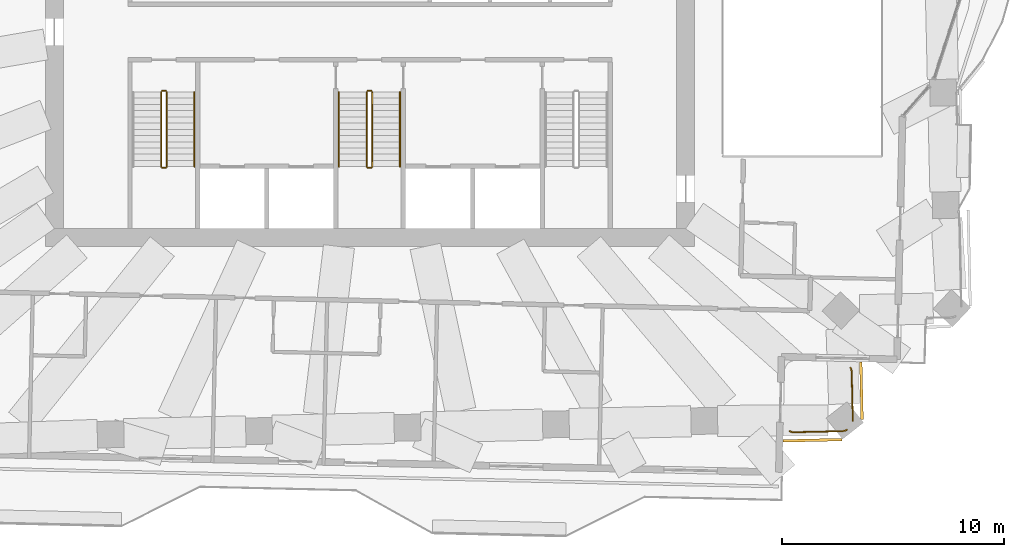
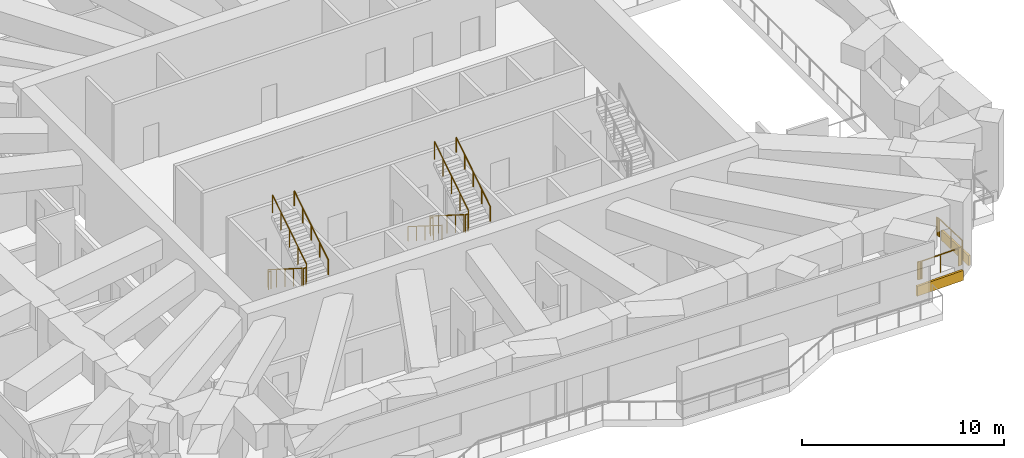
# One storey, part 16 of 19: 13 railings, 2 coverings.
"""IFC4 building model written with IfcOpenShell, lengths in metres."""

import ifcopenshell
import ifcopenshell.guid

model = None  # the IFC model being written
_history = None  # IfcOwnerHistory: only IFC2X3 demands one
_inside = {}  # id of a spatial element -> (the spatial element, [elements in it])
_under = {}  # id of a project, library or spatial element -> (it, [spatial elements below it])
_declared = {}  # id of a project -> (the project, [libraries it declares])
_typed = {}  # id of a type object -> (the type object, [elements of that type])
_made_of = {}  # id of a material, layer set ... -> (it, [elements and type objects made of it])


def new_model(schema):
    """Start an empty IFC model of exactly this schema.

    Asked for "IFC4X3", IfcOpenShell would pick the latest addendum, in which some entities
    have other attributes; the version numbers below select the first issue.
    IFC2X3 requires an IfcOwnerHistory on every rooted entity: one is made here for all.
    """
    global model, _history
    if schema == "IFC4X3":
        model = ifcopenshell.file(schema_version=(4, 3, 0, 0))
    else:
        model = ifcopenshell.file(schema=schema)
    _inside.clear()
    _under.clear()
    _declared.clear()
    _typed.clear()
    _made_of.clear()
    _history = None
    if model.schema == "IFC2X3":
        org = make("IfcOrganization", Name="unknown")
        user = make(
            "IfcPersonAndOrganization",
            ThePerson=make("IfcPerson", FamilyName="unknown"),
            TheOrganization=org,
        )
        app = make(
            "IfcApplication",
            ApplicationDeveloper=org,
            Version="unknown",
            ApplicationFullName="unknown",
            ApplicationIdentifier="unknown",
        )
        _history = make(
            "IfcOwnerHistory",
            OwningUser=user,
            OwningApplication=app,
            ChangeAction="ADDED",
            CreationDate=0,
        )
    return model


def make(cls, **values):
    """One entity of the class cls with the attributes given. An attribute that is None is left unset."""
    return model.create_entity(
        cls, **{name: value for name, value in values.items() if value is not None}
    )


def rooted(cls, **values):
    """An entity with a GlobalId (a new one), such as an element, a storey or a relation."""
    return make(cls, GlobalId=ifcopenshell.guid.new(), OwnerHistory=_history, **values)


def si_unit(unit_type, name, prefix=None):
    """IfcSIUnit, for example si_unit("LENGTHUNIT", "METRE", prefix="MILLI")."""
    return make("IfcSIUnit", UnitType=unit_type, Prefix=prefix, Name=name)


def assignment(units):
    """IfcUnitAssignment: the units of a project."""
    return None if units is None else make("IfcUnitAssignment", Units=units)


def point(xyz):
    """IfcCartesianPoint."""
    return None if xyz is None else make("IfcCartesianPoint", Coordinates=xyz)


def direction(xyz):
    """IfcDirection."""
    return None if xyz is None else make("IfcDirection", DirectionRatios=xyz)


def frame(location, z_axis=None, x_axis=None):
    """IfcAxis2Placement3D, a coordinate frame: its origin and axes. An axis left out is left unset."""
    return make(
        "IfcAxis2Placement3D",
        Location=point(location),
        Axis=direction(z_axis),
        RefDirection=direction(x_axis),
    )


def frame_2d(location, x_axis=None):
    """IfcAxis2Placement2D, a coordinate frame in the plane: its origin and x axis."""
    return make(
        "IfcAxis2Placement2D", Location=point(location), RefDirection=direction(x_axis)
    )


def origin():
    """The frame at (0, 0, 0) with its axes left unset."""
    return frame((0.0, 0.0, 0.0))


def origin_2d():
    """The frame at (0, 0) in the plane with its x axis left unset."""
    return frame_2d((0.0, 0.0))


def place(relative_to, where):
    """IfcLocalPlacement: puts the frame where relative to a parent placement (None: the world)."""
    return make(
        "IfcLocalPlacement", PlacementRelTo=relative_to, RelativePlacement=where
    )


def context(
    kind, dimensions, precision=None, world=None, true_north=None, identifier=None
):
    """IfcGeometricRepresentationContext, for example the 3D "Model" context."""
    return make(
        "IfcGeometricRepresentationContext",
        ContextIdentifier=identifier,
        ContextType=kind,
        CoordinateSpaceDimension=dimensions,
        Precision=precision,
        WorldCoordinateSystem=world,
        TrueNorth=true_north,
    )


def subcontext(parent, identifier, kind, view, scale=None):
    """IfcGeometricRepresentationSubContext, for example "Body" below "Model"."""
    return make(
        "IfcGeometricRepresentationSubContext",
        ContextIdentifier=identifier,
        ContextType=kind,
        ParentContext=parent,
        TargetScale=scale,
        TargetView=view,
    )


def project(units=None, contexts=None):
    """IfcProject with its units and contexts."""
    return rooted(
        "IfcProject",
        Name="project",
        RepresentationContexts=contexts,
        UnitsInContext=assignment(units),
    )


def spatial(cls, under=None, at=None, **own):
    """A site, building, storey or space (cls), placed at a placement, below another one or the project."""
    s = rooted(cls, ObjectPlacement=at, **own)
    if under is not None:
        _under.setdefault(under.id(), (under, []))[1].append(s)
    return s


def profile(cls, at=None, kind="AREA", **sizes):
    """A parametric profile (cls). Its sizes go by their IFC names, for example OverallWidth=200.0."""
    return make(cls, ProfileType=kind, Position=at, **sizes)


def rectangle(**sizes):
    """IfcRectangleProfileDef."""
    return profile("IfcRectangleProfileDef", **sizes)


def circle(**sizes):
    """IfcCircleProfileDef."""
    return profile("IfcCircleProfileDef", **sizes)


def extrude(swept, where, along, depth):
    """IfcExtrudedAreaSolid: the profile swept, set in the frame where, extruded along a direction by depth."""
    return make(
        "IfcExtrudedAreaSolid",
        SweptArea=swept,
        Position=where,
        ExtrudedDirection=direction(along),
        Depth=depth,
    )


def shape(context_of_items, identifier, shape_type, items):
    """IfcShapeRepresentation: the items that make up one representation, for example the "Body"."""
    return make(
        "IfcShapeRepresentation",
        ContextOfItems=context_of_items,
        RepresentationIdentifier=identifier,
        RepresentationType=shape_type,
        Items=items,
    )


def material(Name=None, Category=None):
    """IfcMaterial."""
    return make("IfcMaterial", Name=Name, Category=Category)


def layer(
    of_material, thickness, ventilated=None, Name=None, Category=None, Priority=None
):
    """IfcMaterialLayer: one layer of a wall or slab, of a material (None: an air gap)."""
    return make(
        "IfcMaterialLayer",
        Material=of_material,
        LayerThickness=thickness,
        IsVentilated=ventilated,
        Name=Name,
        Category=Category,
        Priority=Priority,
    )


def layer_set(layers, Name=None):
    """IfcMaterialLayerSet."""
    return make("IfcMaterialLayerSet", MaterialLayers=layers, LayerSetName=Name)


def made_of(thing, what):
    """Note that an element or type object is made of a material, layer set ...; save() writes the relation."""
    if what is not None:
        _made_of.setdefault(what.id(), (what, []))[1].append(thing)
    return thing


def type_object(cls, material=None, **own):
    """A type object (cls), such as IfcWallType, which elements share."""
    return made_of(rooted(cls, **own), material)


def element(
    cls,
    number,
    at=None,
    inside=None,
    cuts=None,
    type_object=None,
    material=None,
    context=None,
    identifier="Body",
    shape_type=None,
    held_by="IfcProductDefinitionShape",
    body=None,
    shapes=None,
    **own,
):
    """One element of the class cls, such as IfcWall. Its Tag is "e" and its number.

    at: its placement. inside: the storey or other place that contains it. cuts: it is an
    opening in that element (IfcRelVoidsElement). A single representation is given by context,
    identifier, shape_type and body (its items); several are given by shapes. held_by: the class
    of the entity that holds the representations. save() writes the other relations.
    """
    e = rooted(cls, Tag="e%d" % number, ObjectPlacement=at, **own)
    if body is not None:
        shapes = [shape(context, identifier, shape_type, body)]
    if shapes is not None:
        e.Representation = make(held_by, Representations=shapes)
    if inside is not None:
        _inside.setdefault(inside.id(), (inside, []))[1].append(e)
    if cuts is not None:
        rooted(
            "IfcRelVoidsElement", RelatingBuildingElement=cuts, RelatedOpeningElement=e
        )
    if type_object is not None:
        _typed.setdefault(type_object.id(), (type_object, []))[1].append(e)
    return made_of(e, material)


def aggregate(whole, parts):
    """IfcRelAggregates: a whole, such as a stair, and the parts it consists of."""
    return rooted("IfcRelAggregates", RelatingObject=whole, RelatedObjects=parts)


def save(model, path):
    """Write the relations noted so far, then the file.

    IfcRelAggregates (storeys below a building ...), IfcRelContainedInSpatialStructure (elements
    in a storey), IfcRelDefinesByType, IfcRelAssociatesMaterial and IfcRelDeclares: one each for
    every whole, place, type object, material and project.
    """
    for whole, parts in _under.values():
        aggregate(whole, parts)
    for where, things in _inside.values():
        rooted(
            "IfcRelContainedInSpatialStructure",
            RelatedElements=things,
            RelatingStructure=where,
        )
    for kind, things in _typed.values():
        rooted("IfcRelDefinesByType", RelatedObjects=things, RelatingType=kind)
    for what, things in _made_of.values():
        rooted("IfcRelAssociatesMaterial", RelatedObjects=things, RelatingMaterial=what)
    for by, libraries in _declared.values():
        rooted("IfcRelDeclares", RelatingContext=by, RelatedDefinitions=libraries)
    model.write(path)


model = new_model("IFC4")

# Units and contexts
model_context = context("Model", 3, precision=1e-05, world=origin(), true_north=direction((0.0, 1.0)))
body_context = subcontext(model_context, "Body", "Model", "MODEL_VIEW")
ifc_project = project(units=[si_unit("LENGTHUNIT", "METRE"), si_unit("AREAUNIT", "SQUARE_METRE"), si_unit("VOLUMEUNIT", "CUBIC_METRE"), si_unit("PLANEANGLEUNIT", "RADIAN"), si_unit("MASSUNIT", "GRAM", prefix="KILO")], contexts=[model_context])

# Site, building, storey
site_placement = place(None, origin())
site = spatial("IfcSite", under=ifc_project, at=site_placement, CompositionType="ELEMENT")
building_placement = place(site_placement, origin())
building = spatial("IfcBuilding", under=site, at=building_placement, Name="Mangrove Gate Tower", CompositionType="ELEMENT")
storey_placement = place(building_placement, frame((0.0, 0.0, 193.300048828125)))
storey = spatial("IfcBuildingStorey", under=building, at=storey_placement, Name="L49", CompositionType="ELEMENT", Elevation=193.300048828125)

# Railings
ifc_material_1 = material(Name="Stainless steel grade 316 with laminated glass infill", Category="steel")
railing_type_1 = type_object("IfcRailingType", Name="Balcony guard 1100", PredefinedType="GUARDRAIL", material=ifc_material_1)
railing_1_placement = place(storey_placement, frame((21.449951171875, -19.85498046875, 0.0)))
element("IfcRailing", 1, at=railing_1_placement, inside=storey, type_object=railing_type_1, Name="GUARD L49 T4.1", PredefinedType="GUARDRAIL", context=body_context, shape_type="SweptSolid", body=[
    extrude(rectangle(XDim=0.048095703125, YDim=0.048095703125, at=origin_2d()), frame((0.0, 0.0, 1.076171875), z_axis=(-0.887359195726, -0.461078797779, 0.0), x_axis=(0.461078797779, -0.887359195726, 0.0)), (0.0, 0.0, 1.0), 0.028076171875),
    extrude(rectangle(XDim=0.048095703125, YDim=0.048095703125, at=origin_2d()), frame((-0.02490234375, -0.012939453125, 1.076171875), z_axis=(-0.937748760724, -0.347314355824, 0.0), x_axis=(0.347314355824, -0.937748760724, 0.0)), (0.0, 0.0, 1.0), 0.04931640625),
    extrude(rectangle(XDim=0.048095703125, YDim=0.048095703125, at=origin_2d()), frame((-0.071044921875, -0.030029296875, 1.076171875), z_axis=(-0.965329857813, -0.261033073796, 0.0), x_axis=(0.261033073796, -0.965329857813, 0.0)), (0.0, 0.0, 1.0), 0.049560546875),
    extrude(rectangle(XDim=0.048095703125, YDim=0.048095703125, at=origin_2d()), frame((-0.118896484375, -0.04296875, 1.076171875), z_axis=(-0.982815662529, -0.184589743724, 0.0), x_axis=(0.184589743724, -0.982815662529, 0.0)), (0.0, 0.0, 1.0), 0.048828125),
    extrude(rectangle(XDim=0.048095703125, YDim=0.048095703125, at=origin_2d()), frame((-0.1669921875, -0.052001953125, 1.076171875), z_axis=(-0.998222615791, -0.059595380047, 0.0), x_axis=(0.059595380047, -0.998222615791, 0.0)), (0.0, 0.0, 1.0), 0.049072265625),
    extrude(rectangle(XDim=0.048095703125, YDim=0.048095703125, at=origin_2d()), frame((-0.216064453125, -0.054931640625, 1.076171875), z_axis=(-0.999743671564, -0.022640476296, 0.0), x_axis=(0.022640476296, -0.999743671564, 0.0)), (0.0, 0.0, 1.0), 2.124267578125),
    extrude(rectangle(XDim=0.048095703125, YDim=0.048095703125, at=origin_2d()), frame((-2.33984375, -0.10302734375, 1.076171875), z_axis=(-0.999816904308, 0.019135251757, 0.0), x_axis=(-0.019135251757, -0.999816904308, 0.0)), (0.0, 0.0, 1.0), 0.051025390625),
    extrude(rectangle(XDim=0.048095703125, YDim=0.048095703125, at=origin_2d()), frame((-2.390869140625, -0.10205078125, 1.076171875), z_axis=(-0.990141768293, 0.140068835515, 0.0), x_axis=(-0.140068835515, -0.990141768293, 0.0)), (0.0, 0.0, 1.0), 0.050537109375),
    extrude(rectangle(XDim=0.048095703125, YDim=0.048095703125, at=origin_2d()), frame((-2.44091796875, -0.094970703125, 1.076171875), z_axis=(-0.975843140333, 0.218472344851, 0.0), x_axis=(-0.218472344851, -0.975843140333, 0.0)), (0.0, 0.0, 1.0), 0.05029296875),
    extrude(rectangle(XDim=0.048095703125, YDim=0.048095703125, at=origin_2d()), frame((-2.489990234375, -0.083984375, 1.076171875), z_axis=(-0.949166454242, 0.314774589417, 0.0), x_axis=(-0.314774589417, -0.949166454242, 0.0)), (0.0, 0.0, 1.0), 0.05029296875),
    extrude(rectangle(XDim=0.048095703125, YDim=0.048095703125, at=origin_2d()), frame((-2.537841796875, -0.068115234375, 1.076171875), z_axis=(-0.894427191, 0.4472135955, 0.0), x_axis=(-0.4472135955, -0.894427191, 0.0)), (0.0, 0.0, 1.0), 0.0224609375),
    extrude(rectangle(XDim=0.0419921875, YDim=0.0419921875, at=origin_2d()), origin(), (0.0, 0.0, 1.0), 1.052001953125),
    extrude(rectangle(XDim=0.0419921875, YDim=0.0419921875, at=origin_2d()), frame((-0.02490234375, -0.012939453125, 0.0)), (0.0, 0.0, 1.0), 1.052001953125),
    extrude(rectangle(XDim=0.0419921875, YDim=0.0419921875, at=origin_2d()), frame((-0.071044921875, -0.030029296875, 0.0)), (0.0, 0.0, 1.0), 1.052001953125),
    extrude(rectangle(XDim=0.0419921875, YDim=0.0419921875, at=origin_2d()), frame((-0.118896484375, -0.04296875, 0.0)), (0.0, 0.0, 1.0), 1.052001953125),
    extrude(rectangle(XDim=0.0419921875, YDim=0.0419921875, at=origin_2d()), frame((-0.1669921875, -0.052001953125, 0.0)), (0.0, 0.0, 1.0), 1.052001953125),
    extrude(rectangle(XDim=0.0419921875, YDim=0.0419921875, at=origin_2d()), frame((-0.216064453125, -0.054931640625, 0.0)), (0.0, 0.0, 1.0), 1.052001953125),
    extrude(rectangle(XDim=0.0419921875, YDim=0.0419921875, at=origin_2d()), frame((-1.27783203125, -0.0791015625, 0.0)), (0.0, 0.0, 1.0), 1.052001953125),
    extrude(rectangle(XDim=0.0419921875, YDim=0.0419921875, at=origin_2d()), frame((-2.33984375, -0.10302734375, 0.0)), (0.0, 0.0, 1.0), 1.052001953125),
    extrude(rectangle(XDim=0.0419921875, YDim=0.0419921875, at=origin_2d()), frame((-2.390869140625, -0.10205078125, 0.0)), (0.0, 0.0, 1.0), 1.052001953125),
    extrude(rectangle(XDim=0.0419921875, YDim=0.0419921875, at=origin_2d()), frame((-2.44091796875, -0.094970703125, 0.0)), (0.0, 0.0, 1.0), 1.052001953125),
    extrude(rectangle(XDim=0.0419921875, YDim=0.0419921875, at=origin_2d()), frame((-2.489990234375, -0.083984375, 0.0)), (0.0, 0.0, 1.0), 1.052001953125),
    extrude(rectangle(XDim=0.0419921875, YDim=0.0419921875, at=origin_2d()), frame((-2.537841796875, -0.068115234375, 0.0)), (0.0, 0.0, 1.0), 1.052001953125),
    extrude(rectangle(XDim=0.0419921875, YDim=0.0419921875, at=origin_2d()), frame((-2.557861328125, -0.05810546875, 0.0)), (0.0, 0.0, 1.0), 1.052001953125),
])
railing_2_placement = place(storey_placement, frame((21.618896484375, -17.044921875, 0.0)))
element("IfcRailing", 2, at=railing_2_placement, inside=storey, type_object=railing_type_1, Name="GUARD L49 T4.2", PredefinedType="GUARDRAIL", context=body_context, shape_type="SweptSolid", body=[
    extrude(rectangle(XDim=0.048095703125, YDim=0.048095703125, at=origin_2d()), frame((0.0, 0.0, 1.076171875), z_axis=(0.450115207469, -0.892970492237, 0.0), x_axis=(0.892970492237, 0.450115207469, 0.0)), (0.0, 0.0, 1.0), 0.03369140625),
    extrude(rectangle(XDim=0.048095703125, YDim=0.048095703125, at=origin_2d()), frame((0.01513671875, -0.030029296875, 1.076171875), z_axis=(0.349457810471, -0.936952100537, 0.0), x_axis=(0.936952100537, 0.349457810471, 0.0)), (0.0, 0.0, 1.0), 0.048095703125),
    extrude(rectangle(XDim=0.048095703125, YDim=0.048095703125, at=origin_2d()), frame((0.031982421875, -0.0751953125, 1.076171875), z_axis=(0.25702270351, -0.966405365196, 0.0), x_axis=(0.966405365196, 0.25702270351, 0.0)), (0.0, 0.0, 1.0), 0.047607421875),
    extrude(rectangle(XDim=0.048095703125, YDim=0.048095703125, at=origin_2d()), frame((0.044189453125, -0.12109375, 1.076171875), z_axis=(0.164398987305, -0.986393923832, 0.0), x_axis=(0.986393923832, 0.164398987305, 0.0)), (0.0, 0.0, 1.0), 0.047607421875),
    extrude(rectangle(XDim=0.048095703125, YDim=0.048095703125, at=origin_2d()), frame((0.052001953125, -0.16796875, 1.076171875), z_axis=(0.067205229263, -0.99773917291, 0.0), x_axis=(0.99773917291, 0.067205229263, 0.0)), (0.0, 0.0, 1.0), 0.047119140625),
    extrude(rectangle(XDim=0.048095703125, YDim=0.048095703125, at=origin_2d()), frame((0.05517578125, -0.215087890625, 1.076171875), z_axis=(0.022822498182, -0.999739532867, 0.0), x_axis=(0.999739532867, 0.022822498182, 0.0)), (0.0, 0.0, 1.0), 2.139404296875),
    extrude(rectangle(XDim=0.048095703125, YDim=0.048095703125, at=origin_2d()), frame((0.10400390625, -2.35400390625, 1.076171875), z_axis=(-0.039769507669, -0.999208880195, 0.0), x_axis=(0.999208880195, -0.039769507669, 0.0)), (0.0, 0.0, 1.0), 0.049072265625),
    extrude(rectangle(XDim=0.0419921875, YDim=0.0419921875, at=origin_2d()), origin(), (0.0, 0.0, 1.0), 1.052001953125),
    extrude(rectangle(XDim=0.0419921875, YDim=0.0419921875, at=origin_2d()), frame((0.01513671875, -0.030029296875, 0.0)), (0.0, 0.0, 1.0), 1.052001953125),
    extrude(rectangle(XDim=0.0419921875, YDim=0.0419921875, at=origin_2d()), frame((0.031982421875, -0.0751953125, 0.0)), (0.0, 0.0, 1.0), 1.052001953125),
    extrude(rectangle(XDim=0.0419921875, YDim=0.0419921875, at=origin_2d()), frame((0.044189453125, -0.12109375, 0.0)), (0.0, 0.0, 1.0), 1.052001953125),
    extrude(rectangle(XDim=0.0419921875, YDim=0.0419921875, at=origin_2d()), frame((0.052001953125, -0.16796875, 0.0)), (0.0, 0.0, 1.0), 1.052001953125),
    extrude(rectangle(XDim=0.0419921875, YDim=0.0419921875, at=origin_2d()), frame((0.05517578125, -0.215087890625, 0.0)), (0.0, 0.0, 1.0), 1.052001953125),
    extrude(rectangle(XDim=0.0419921875, YDim=0.0419921875, at=origin_2d()), frame((0.07958984375, -1.28466796875, 0.0)), (0.0, 0.0, 1.0), 1.052001953125),
    extrude(rectangle(XDim=0.0419921875, YDim=0.0419921875, at=origin_2d()), frame((0.10400390625, -2.35400390625, 0.0)), (0.0, 0.0, 1.0), 1.052001953125),
    extrude(rectangle(XDim=0.0419921875, YDim=0.0419921875, at=origin_2d()), frame((0.10205078125, -2.403076171875, 0.0)), (0.0, 0.0, 1.0), 1.052001953125),
])
ifc_material_2 = material(Name="Stainless steel 316", Category="steel")
railing_type_2 = type_object("IfcRailingType", Name="Core stair guard 1100", PredefinedType="GUARDRAIL", material=ifc_material_2)
railing_3_placement = place(storey_placement, frame((-9.39990234375, -4.64990234375, 0.1767578125)))
element("IfcRailing", 3, at=railing_3_placement, inside=storey, type_object=railing_type_2, Name="L49 ST1 stair guard 1", PredefinedType="GUARDRAIL", context=body_context, shape_type="SweptSolid", body=[
    extrude(rectangle(XDim=0.048095703125, YDim=0.048095703125, at=origin_2d()), frame((0.0, 0.0, 1.076171875), z_axis=(0.0, -0.845361898145, 0.534194029511), x_axis=(1.0, 0.0, 0.0)), (0.0, 0.0, 1.0), 3.974853515625),
    extrude(rectangle(XDim=0.0419921875, YDim=0.0419921875, at=origin_2d()), origin(), (0.0, 0.0, 1.0), 1.052001953125),
    extrude(rectangle(XDim=0.0419921875, YDim=0.0419921875, at=origin_2d()), frame((0.0, -0.840087890625, 0.53076171875)), (0.0, 0.0, 1.0), 1.052001953125),
    extrude(rectangle(XDim=0.0419921875, YDim=0.0419921875, at=origin_2d()), frame((0.0, -1.68017578125, 1.0615234375)), (0.0, 0.0, 1.0), 1.052001953125),
    extrude(rectangle(XDim=0.0419921875, YDim=0.0419921875, at=origin_2d()), frame((0.0, -2.52001953125, 1.592529296875)), (0.0, 0.0, 1.0), 1.052001953125),
    extrude(rectangle(XDim=0.0419921875, YDim=0.0419921875, at=origin_2d()), frame((0.0, -3.360107421875, 2.123291015625)), (0.0, 0.0, 1.0), 1.052001953125),
])
railing_4_placement = place(storey_placement, frame((-9.35009765625, -8.06005859375, 2.300048828125)))
element("IfcRailing", 4, at=railing_4_placement, inside=storey, type_object=railing_type_2, Name="L49 ST1 stair guard 2", PredefinedType="GUARDRAIL", context=body_context, shape_type="SweptSolid", body=[
    extrude(rectangle(XDim=0.048095703125, YDim=0.048095703125, at=origin_2d()), frame((0.0, 0.0, 1.076171875), z_axis=(1.0, 0.0, 0.0), x_axis=(0.0, 1.0, 0.0)), (0.0, 0.0, 1.0), 0.150146484375),
    extrude(rectangle(XDim=0.0419921875, YDim=0.0419921875, at=origin_2d()), origin(), (0.0, 0.0, 1.0), 1.052001953125),
    extrude(rectangle(XDim=0.0419921875, YDim=0.0419921875, at=origin_2d()), frame((0.150146484375, 0.0, 0.0)), (0.0, 0.0, 1.0), 1.052001953125),
])
railing_5_placement = place(storey_placement, frame((-9.14990234375, -8.010009765625, 2.476806640625)))
element("IfcRailing", 5, at=railing_5_placement, inside=storey, type_object=railing_type_2, Name="L49 ST1 stair guard 3", PredefinedType="GUARDRAIL", context=body_context, shape_type="SweptSolid", body=[
    extrude(rectangle(XDim=0.048095703125, YDim=0.048095703125, at=origin_2d()), frame((0.0, 0.0, 1.076171875), z_axis=(0.0, 0.845389635667, 0.534150132366), x_axis=(-1.0, 0.0, 0.0)), (0.0, 0.0, 1.0), 3.974609375),
    extrude(rectangle(XDim=0.0419921875, YDim=0.0419921875, at=origin_2d()), origin(), (0.0, 0.0, 1.0), 1.052001953125),
    extrude(rectangle(XDim=0.0419921875, YDim=0.0419921875, at=origin_2d()), frame((0.0, 0.840087890625, 0.53076171875)), (0.0, 0.0, 1.0), 1.052001953125),
    extrude(rectangle(XDim=0.0419921875, YDim=0.0419921875, at=origin_2d()), frame((0.0, 1.68017578125, 1.0615234375)), (0.0, 0.0, 1.0), 1.052001953125),
    extrude(rectangle(XDim=0.0419921875, YDim=0.0419921875, at=origin_2d()), frame((0.0, 2.52001953125, 1.59228515625)), (0.0, 0.0, 1.0), 1.052001953125),
    extrude(rectangle(XDim=0.0419921875, YDim=0.0419921875, at=origin_2d()), frame((0.0, 3.360107421875, 2.123046875)), (0.0, 0.0, 1.0), 1.052001953125),
])
railing_6_placement = place(storey_placement, frame((-9.35009765625, -4.60009765625, 0.0)))
element("IfcRailing", 6, at=railing_6_placement, inside=storey, type_object=railing_type_2, Name="L49 ST1 stair guard 4", PredefinedType="GUARDRAIL", context=body_context, shape_type="SweptSolid", body=[
    extrude(rectangle(XDim=0.048095703125, YDim=0.048095703125, at=origin_2d()), frame((0.0, 0.0, 1.076171875), z_axis=(1.0, 0.0, 0.0), x_axis=(0.0, 1.0, 0.0)), (0.0, 0.0, 1.0), 0.150146484375),
    extrude(rectangle(XDim=0.0419921875, YDim=0.0419921875, at=origin_2d()), origin(), (0.0, 0.0, 1.0), 1.052001953125),
    extrude(rectangle(XDim=0.0419921875, YDim=0.0419921875, at=origin_2d()), frame((0.150146484375, 0.0, 0.0)), (0.0, 0.0, 1.0), 1.052001953125),
])
railing_7_placement = place(storey_placement, frame((-0.14990234375, -4.64990234375, 0.1767578125)))
element("IfcRailing", 7, at=railing_7_placement, inside=storey, type_object=railing_type_2, Name="L49 ST2 stair guard 1", PredefinedType="GUARDRAIL", context=body_context, shape_type="SweptSolid", body=[
    extrude(rectangle(XDim=0.048095703125, YDim=0.048095703125, at=origin_2d()), frame((0.0, 0.0, 1.076171875), z_axis=(0.0, -0.845361898145, 0.534194029511), x_axis=(1.0, 0.0, 0.0)), (0.0, 0.0, 1.0), 3.974853515625),
    extrude(rectangle(XDim=0.0419921875, YDim=0.0419921875, at=origin_2d()), origin(), (0.0, 0.0, 1.0), 1.052001953125),
    extrude(rectangle(XDim=0.0419921875, YDim=0.0419921875, at=origin_2d()), frame((0.0, -0.840087890625, 0.53076171875)), (0.0, 0.0, 1.0), 1.052001953125),
    extrude(rectangle(XDim=0.0419921875, YDim=0.0419921875, at=origin_2d()), frame((0.0, -1.68017578125, 1.0615234375)), (0.0, 0.0, 1.0), 1.052001953125),
    extrude(rectangle(XDim=0.0419921875, YDim=0.0419921875, at=origin_2d()), frame((0.0, -2.52001953125, 1.592529296875)), (0.0, 0.0, 1.0), 1.052001953125),
    extrude(rectangle(XDim=0.0419921875, YDim=0.0419921875, at=origin_2d()), frame((0.0, -3.360107421875, 2.123291015625)), (0.0, 0.0, 1.0), 1.052001953125),
])
railing_8_placement = place(storey_placement, frame((-0.10009765625, -8.06005859375, 2.300048828125)))
element("IfcRailing", 8, at=railing_8_placement, inside=storey, type_object=railing_type_2, Name="L49 ST2 stair guard 2", PredefinedType="GUARDRAIL", context=body_context, shape_type="SweptSolid", body=[
    extrude(rectangle(XDim=0.048095703125, YDim=0.048095703125, at=origin_2d()), frame((0.0, 0.0, 1.076171875), z_axis=(1.0, 0.0, 0.0), x_axis=(0.0, 1.0, 0.0)), (0.0, 0.0, 1.0), 0.150146484375),
    extrude(rectangle(XDim=0.0419921875, YDim=0.0419921875, at=origin_2d()), origin(), (0.0, 0.0, 1.0), 1.052001953125),
    extrude(rectangle(XDim=0.0419921875, YDim=0.0419921875, at=origin_2d()), frame((0.150146484375, 0.0, 0.0)), (0.0, 0.0, 1.0), 1.052001953125),
])
railing_9_placement = place(storey_placement, frame((0.10009765625, -8.010009765625, 2.476806640625)))
element("IfcRailing", 9, at=railing_9_placement, inside=storey, type_object=railing_type_2, Name="L49 ST2 stair guard 3", PredefinedType="GUARDRAIL", context=body_context, shape_type="SweptSolid", body=[
    extrude(rectangle(XDim=0.048095703125, YDim=0.048095703125, at=origin_2d()), frame((0.0, 0.0, 1.076171875), z_axis=(0.0, 0.845389635667, 0.534150132366), x_axis=(-1.0, 0.0, 0.0)), (0.0, 0.0, 1.0), 3.974609375),
    extrude(rectangle(XDim=0.0419921875, YDim=0.0419921875, at=origin_2d()), origin(), (0.0, 0.0, 1.0), 1.052001953125),
    extrude(rectangle(XDim=0.0419921875, YDim=0.0419921875, at=origin_2d()), frame((0.0, 0.840087890625, 0.53076171875)), (0.0, 0.0, 1.0), 1.052001953125),
    extrude(rectangle(XDim=0.0419921875, YDim=0.0419921875, at=origin_2d()), frame((0.0, 1.68017578125, 1.0615234375)), (0.0, 0.0, 1.0), 1.052001953125),
    extrude(rectangle(XDim=0.0419921875, YDim=0.0419921875, at=origin_2d()), frame((0.0, 2.52001953125, 1.59228515625)), (0.0, 0.0, 1.0), 1.052001953125),
    extrude(rectangle(XDim=0.0419921875, YDim=0.0419921875, at=origin_2d()), frame((0.0, 3.360107421875, 2.123046875)), (0.0, 0.0, 1.0), 1.052001953125),
])
railing_10_placement = place(storey_placement, frame((-0.10009765625, -4.60009765625, 0.0)))
element("IfcRailing", 10, at=railing_10_placement, inside=storey, type_object=railing_type_2, Name="L49 ST2 stair guard 4", PredefinedType="GUARDRAIL", context=body_context, shape_type="SweptSolid", body=[
    extrude(rectangle(XDim=0.048095703125, YDim=0.048095703125, at=origin_2d()), frame((0.0, 0.0, 1.076171875), z_axis=(1.0, 0.0, 0.0), x_axis=(0.0, 1.0, 0.0)), (0.0, 0.0, 1.0), 0.150146484375),
    extrude(rectangle(XDim=0.0419921875, YDim=0.0419921875, at=origin_2d()), origin(), (0.0, 0.0, 1.0), 1.052001953125),
    extrude(rectangle(XDim=0.0419921875, YDim=0.0419921875, at=origin_2d()), frame((0.150146484375, 0.0, 0.0)), (0.0, 0.0, 1.0), 1.052001953125),
])
ifc_material_3 = material(Name="Stainless steel 316", Category="steel")
railing_type_3 = type_object("IfcRailingType", Name="Core stair handrail 900", PredefinedType="HANDRAIL", material=ifc_material_3)
railing_11_placement = place(storey_placement, frame((-7.89990234375, -8.010009765625, 2.476806640625)))
element("IfcRailing", 11, at=railing_11_placement, inside=storey, type_object=railing_type_3, Name="L49 ST1 stair handrail 2", PredefinedType="HANDRAIL", context=body_context, shape_type="SweptSolid", body=[
    extrude(circle(Radius=0.02392578125, at=origin_2d()), frame((0.0, 0.0, 0.8759765625), z_axis=(0.0, 0.845389635667, 0.534150132366), x_axis=(-1.0, 0.0, 0.0)), (0.0, 0.0, 1.0), 3.974609375),
    extrude(circle(Radius=0.02099609375, at=origin_2d()), origin(), (0.0, 0.0, 1.0), 0.851806640625),
    extrude(circle(Radius=0.02099609375, at=origin_2d()), frame((0.0, 0.840087890625, 0.53076171875)), (0.0, 0.0, 1.0), 0.851806640625),
    extrude(circle(Radius=0.02099609375, at=origin_2d()), frame((0.0, 1.68017578125, 1.0615234375)), (0.0, 0.0, 1.0), 0.851806640625),
    extrude(circle(Radius=0.02099609375, at=origin_2d()), frame((0.0, 2.52001953125, 1.59228515625)), (0.0, 0.0, 1.0), 0.851806640625),
    extrude(circle(Radius=0.02099609375, at=origin_2d()), frame((0.0, 3.360107421875, 2.123046875)), (0.0, 0.0, 1.0), 0.851806640625),
])
railing_12_placement = place(storey_placement, frame((-1.39990234375, -4.64990234375, 0.1767578125)))
element("IfcRailing", 12, at=railing_12_placement, inside=storey, type_object=railing_type_3, Name="L49 ST2 stair handrail 1", PredefinedType="HANDRAIL", context=body_context, shape_type="SweptSolid", body=[
    extrude(circle(Radius=0.02392578125, at=origin_2d()), frame((0.0, 0.0, 0.8759765625), z_axis=(0.0, -0.845361898145, 0.534194029511), x_axis=(1.0, 0.0, 0.0)), (0.0, 0.0, 1.0), 3.974853515625),
    extrude(circle(Radius=0.02099609375, at=origin_2d()), origin(), (0.0, 0.0, 1.0), 0.851806640625),
    extrude(circle(Radius=0.02099609375, at=origin_2d()), frame((0.0, -0.840087890625, 0.53076171875)), (0.0, 0.0, 1.0), 0.851806640625),
    extrude(circle(Radius=0.02099609375, at=origin_2d()), frame((0.0, -1.68017578125, 1.0615234375)), (0.0, 0.0, 1.0), 0.851806640625),
    extrude(circle(Radius=0.02099609375, at=origin_2d()), frame((0.0, -2.52001953125, 1.592529296875)), (0.0, 0.0, 1.0), 0.851806640625),
    extrude(circle(Radius=0.02099609375, at=origin_2d()), frame((0.0, -3.360107421875, 2.123291015625)), (0.0, 0.0, 1.0), 0.851806640625),
])
railing_13_placement = place(storey_placement, frame((1.35009765625, -8.010009765625, 2.476806640625)))
element("IfcRailing", 13, at=railing_13_placement, inside=storey, type_object=railing_type_3, Name="L49 ST2 stair handrail 2", PredefinedType="HANDRAIL", context=body_context, shape_type="SweptSolid", body=[
    extrude(circle(Radius=0.02392578125, at=origin_2d()), frame((0.0, 0.0, 0.8759765625), z_axis=(0.0, 0.845389635667, 0.534150132366), x_axis=(-1.0, 0.0, 0.0)), (0.0, 0.0, 1.0), 3.974609375),
    extrude(circle(Radius=0.02099609375, at=origin_2d()), origin(), (0.0, 0.0, 1.0), 0.851806640625),
    extrude(circle(Radius=0.02099609375, at=origin_2d()), frame((0.0, 0.840087890625, 0.53076171875)), (0.0, 0.0, 1.0), 0.851806640625),
    extrude(circle(Radius=0.02099609375, at=origin_2d()), frame((0.0, 1.68017578125, 1.0615234375)), (0.0, 0.0, 1.0), 0.851806640625),
    extrude(circle(Radius=0.02099609375, at=origin_2d()), frame((0.0, 2.52001953125, 1.59228515625)), (0.0, 0.0, 1.0), 0.851806640625),
    extrude(circle(Radius=0.02099609375, at=origin_2d()), frame((0.0, 3.360107421875, 2.123046875)), (0.0, 0.0, 1.0), 0.851806640625),
])

# Coverings
ifc_material_4 = material(Name="Limestone", Category="masonry")
ifc_layer_1 = layer(ifc_material_4, 0.0400390625, Name="Limestone cladding")
ifc_material_5 = material(Name="Stainless steel anchors and cavity", Category="steel")
ifc_layer_2 = layer(ifc_material_5, 0.080078125, Name="Fixing cavity")
ifc_layer_set = layer_set([ifc_layer_1, ifc_layer_2], Name="Joint fascia cladding 120")
covering_type = type_object("IfcCoveringType", Name="Joint fascia cladding 120", PredefinedType="CLADDING", material=ifc_layer_set)
covering_1_placement = place(storey_placement, frame((21.242919921875, -20.2890625, -0.60009765625), z_axis=(0.0, 0.0, 1.0), x_axis=(-0.999745655024, -0.022552721791, 0.0)))
element("IfcCovering", 14, at=covering_1_placement, inside=storey, type_object=covering_type, Name="STONE FASCIA L49 TB64-1.1", PredefinedType="CLADDING", context=body_context, shape_type="SweptSolid", body=[
    extrude(rectangle(XDim=2.6630859375, YDim=0.1201171875, at=frame_2d((1.33154296875, 0.0))), origin(), (0.0, 0.0, 1.0), 0.60009765625),
])
covering_2_placement = place(storey_placement, frame((22.083740234375, -16.794677734375, -0.60009765625), z_axis=(0.0, 0.0, 1.0), x_axis=(0.02248631367, -0.999747150882, 0.0)))
element("IfcCovering", 15, at=covering_2_placement, inside=storey, type_object=covering_type, Name="STONE FASCIA L49 TB64-2.1", PredefinedType="CLADDING", context=body_context, shape_type="SweptSolid", body=[
    extrude(rectangle(XDim=2.594970703125, YDim=0.1201171875, at=frame_2d((1.29736328125, 0.0))), origin(), (0.0, 0.0, 1.0), 0.60009765625),
])

save(model, "model.ifc")
